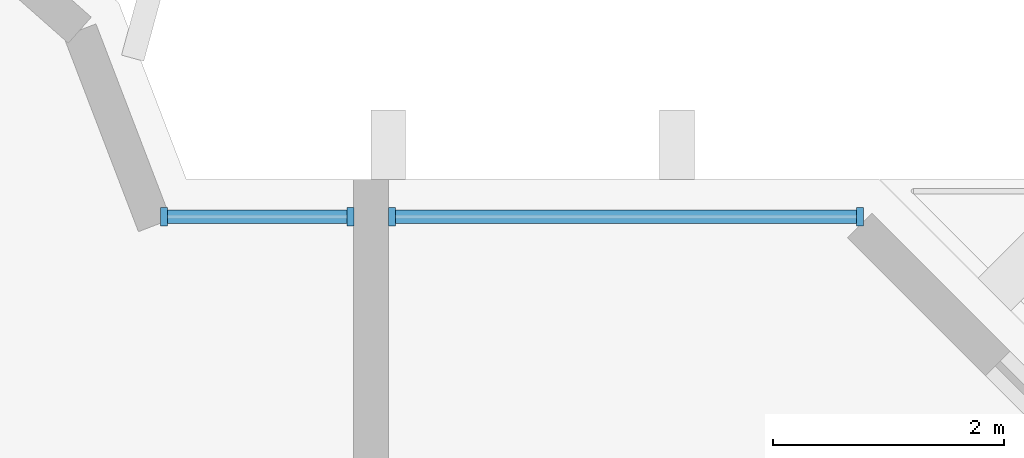
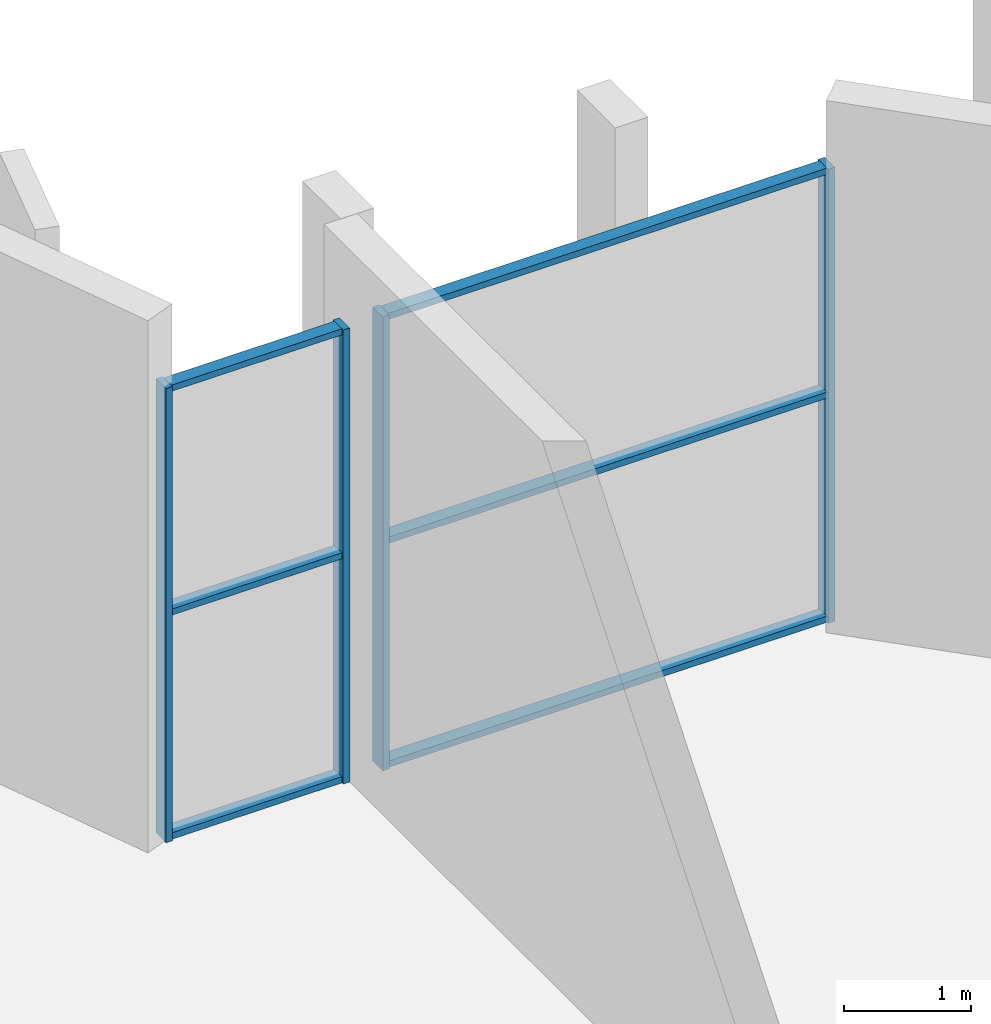
# One storey, part 8 of 19: 10 members, 2 elements without a shape of their own.
"""IFC4 building model written with IfcOpenShell, lengths in metres."""

from ifc_helpers import new_model, si_unit, direction, frame, origin, origin_2d, place, context, subcontext, project, spatial, rectangle, extrude, source, transform, mapped, material, material_profile, profile_set, type_object, element, aggregate, save


model = new_model("IFC4")

# Units and contexts
model_context = context("Model", 3, precision=1e-05, world=origin(), true_north=direction((0.0, 1.0)))
body_context = subcontext(model_context, "Body", "Model", "MODEL_VIEW")
ifc_project = project(units=[si_unit("LENGTHUNIT", "METRE"), si_unit("AREAUNIT", "SQUARE_METRE"), si_unit("VOLUMEUNIT", "CUBIC_METRE"), si_unit("PLANEANGLEUNIT", "RADIAN"), si_unit("MASSUNIT", "GRAM", prefix="KILO")], contexts=[model_context])

# Site, building, storey
site_placement = place(None, origin())
site = spatial("IfcSite", under=ifc_project, at=site_placement, CompositionType="ELEMENT")
building_placement = place(site_placement, origin())
building = spatial("IfcBuilding", under=site, at=building_placement, Name="Vanashikhar Sky Hotel", CompositionType="ELEMENT")
storey_placement = place(building_placement, frame((0.0, 0.0, 146.199951171875)))
storey = spatial("IfcBuildingStorey", under=building, at=storey_placement, Name="L35", CompositionType="ELEMENT", Elevation=146.199951171875)

# Curtain wall, members
ifc_material_1 = material(Name="Glass", Category="glass")
curtain_wall_type = type_object("IfcCurtainWallType", Name="Sky lobby curtain wall", PredefinedType="NOTDEFINED", material=ifc_material_1)
curtain_wall_1_placement = place(storey_placement, origin())
curtain_wall_1 = element("IfcCurtainWall", 1, at=curtain_wall_1_placement, inside=storey, type_object=curtain_wall_type, Name="Sky lobby curtain wall", PredefinedType="NOTDEFINED")
ifc_material_2 = material(Name="Aluminium 6063-T6", Category="aluminium")
ifc_material_profile_1 = material_profile(ifc_material_2, rectangle(XDim=0.159912109375, YDim=0.06005859375, at=origin_2d()))
ifc_profile_set_1 = profile_set([ifc_material_profile_1], Name="Aluminium 6063-T6")
member_type_1 = type_object("IfcMemberType", Name="Sky lobby mullion 60 x 160", PredefinedType="MULLION", material=ifc_profile_set_1)
shared_shape_1 = source(origin(), body_context, "Body", "SweptSolid", [
    extrude(rectangle(XDim=0.159912109375, YDim=0.06005859375, at=origin_2d()), origin(), (0.0, 0.0, 1.0), 4.3701171875),
])
member_1_placement = place(storey_placement, frame((83.820068359375, 41.675048828125, 0.0), z_axis=(0.0, 0.0, 1.0), x_axis=(0.0, -1.0, 0.0)))
member_1 = element("IfcMember", 2, at=member_1_placement, type_object=member_type_1, Name="CW-4 mullion 1", PredefinedType="MULLION", context=body_context, shape_type="MappedRepresentation", body=[
    mapped(shared_shape_1, transform((0.0, 0.0, 0.0), scale=1.0)),
])
member_2_placement = place(storey_placement, frame((82.20654296875, 41.675048828125, 0.0), z_axis=(0.0, 0.0, 1.0), x_axis=(0.0, -1.0, 0.0)))
member_2 = element("IfcMember", 3, at=member_2_placement, type_object=member_type_1, Name="CW-4 mullion 2", PredefinedType="MULLION", context=body_context, shape_type="MappedRepresentation", body=[
    mapped(shared_shape_1, transform((0.0, 0.0, 0.0), scale=1.0)),
])

curtain_wall_2_placement = place(storey_placement, origin())
curtain_wall_2 = element("IfcCurtainWall", 4, at=curtain_wall_2_placement, inside=storey, type_object=curtain_wall_type, Name="Sky lobby curtain wall", PredefinedType="NOTDEFINED")
member_3_placement = place(storey_placement, frame((88.2353515625, 41.675048828125, 0.0), z_axis=(0.0, 0.0, 1.0), x_axis=(0.0, -1.0, 0.0)))
member_3 = element("IfcMember", 5, at=member_3_placement, type_object=member_type_1, Name="CW-4 mullion 1", PredefinedType="MULLION", context=body_context, shape_type="MappedRepresentation", body=[
    mapped(shared_shape_1, transform((0.0, 0.0, 0.0), scale=1.0)),
])
member_4_placement = place(storey_placement, frame((84.179931640625, 41.675048828125, 0.0), z_axis=(0.0, 0.0, 1.0), x_axis=(0.0, -1.0, 0.0)))
member_4 = element("IfcMember", 6, at=member_4_placement, type_object=member_type_1, Name="CW-4 mullion 2", PredefinedType="MULLION", context=body_context, shape_type="MappedRepresentation", body=[
    mapped(shared_shape_1, transform((0.0, 0.0, 0.0), scale=1.0)),
])
ifc_material_profile_2 = material_profile(ifc_material_2, rectangle(XDim=0.1201171875, YDim=0.06005859375, at=origin_2d()))
ifc_profile_set_2 = profile_set([ifc_material_profile_2], Name="Aluminium 6063-T6")
member_type_2 = type_object("IfcMemberType", Name="Sky lobby transom 60 x 120", PredefinedType="USERDEFINED", material=ifc_profile_set_2)
shared_shape_2 = source(origin(), body_context, "Body", "SweptSolid", [
    extrude(rectangle(XDim=0.1201171875, YDim=0.06005859375, at=origin_2d()), origin(), (0.0, 0.0, 1.0), 3.995361328125),
])
member_5_placement = place(storey_placement, frame((88.205322265625, 41.675048828125, 0.030029296875), z_axis=(-1.0, 0.0, 0.0), x_axis=(0.0, -1.0, 0.0)))
member_5 = element("IfcMember", 7, at=member_5_placement, type_object=member_type_2, Name="CW-4 transom 1.1", ObjectType="TRANSOM", PredefinedType="USERDEFINED", context=body_context, shape_type="MappedRepresentation", body=[
    mapped(shared_shape_2, transform((0.0, 0.0, 0.0), scale=1.0)),
])
member_6_placement = place(storey_placement, frame((88.205322265625, 41.675048828125, 2.18505859375), z_axis=(-1.0, 0.0, 0.0), x_axis=(0.0, -1.0, 0.0)))
member_6 = element("IfcMember", 8, at=member_6_placement, type_object=member_type_2, Name="CW-4 transom 1.2", ObjectType="TRANSOM", PredefinedType="USERDEFINED", context=body_context, shape_type="MappedRepresentation", body=[
    mapped(shared_shape_2, transform((0.0, 0.0, 0.0), scale=1.0)),
])
member_7_placement = place(storey_placement, frame((88.205322265625, 41.675048828125, 4.340087890625), z_axis=(-1.0, 0.0, 0.0), x_axis=(0.0, -1.0, 0.0)))
member_7 = element("IfcMember", 9, at=member_7_placement, type_object=member_type_2, Name="CW-4 transom 1.3", ObjectType="TRANSOM", PredefinedType="USERDEFINED", context=body_context, shape_type="MappedRepresentation", body=[
    mapped(shared_shape_2, transform((0.0, 0.0, 0.0), scale=1.0)),
])
aggregate(curtain_wall_2, [member_3, member_4, member_5, member_6, member_7])

# Member
shared_shape_3 = source(origin(), body_context, "Body", "SweptSolid", [
    extrude(rectangle(XDim=0.1201171875, YDim=0.06005859375, at=origin_2d()), origin(), (0.0, 0.0, 1.0), 1.553466796875),
])
member_8_placement = place(storey_placement, frame((83.7900390625, 41.675048828125, 0.030029296875), z_axis=(-1.0, 0.0, 0.0), x_axis=(0.0, -1.0, 0.0)))
member_8 = element("IfcMember", 10, at=member_8_placement, type_object=member_type_2, Name="CW-4 transom 1.1", ObjectType="TRANSOM", PredefinedType="USERDEFINED", context=body_context, shape_type="MappedRepresentation", body=[
    mapped(shared_shape_3, transform((0.0, 0.0, 0.0), scale=1.0)),
])

member_9_placement = place(storey_placement, frame((83.7900390625, 41.675048828125, 2.18505859375), z_axis=(-1.0, 0.0, 0.0), x_axis=(0.0, -1.0, 0.0)))
member_9 = element("IfcMember", 11, at=member_9_placement, type_object=member_type_2, Name="CW-4 transom 1.2", ObjectType="TRANSOM", PredefinedType="USERDEFINED", context=body_context, shape_type="MappedRepresentation", body=[
    mapped(shared_shape_3, transform((0.0, 0.0, 0.0), scale=1.0)),
])

member_10_placement = place(storey_placement, frame((83.7900390625, 41.675048828125, 4.340087890625), z_axis=(-1.0, 0.0, 0.0), x_axis=(0.0, -1.0, 0.0)))
member_10 = element("IfcMember", 12, at=member_10_placement, type_object=member_type_2, Name="CW-4 transom 1.3", ObjectType="TRANSOM", PredefinedType="USERDEFINED", context=body_context, shape_type="MappedRepresentation", body=[
    mapped(shared_shape_3, transform((0.0, 0.0, 0.0), scale=1.0)),
])

aggregate(curtain_wall_1, [member_1, member_2, member_8, member_9, member_10])

save(model, "model.ifc")
